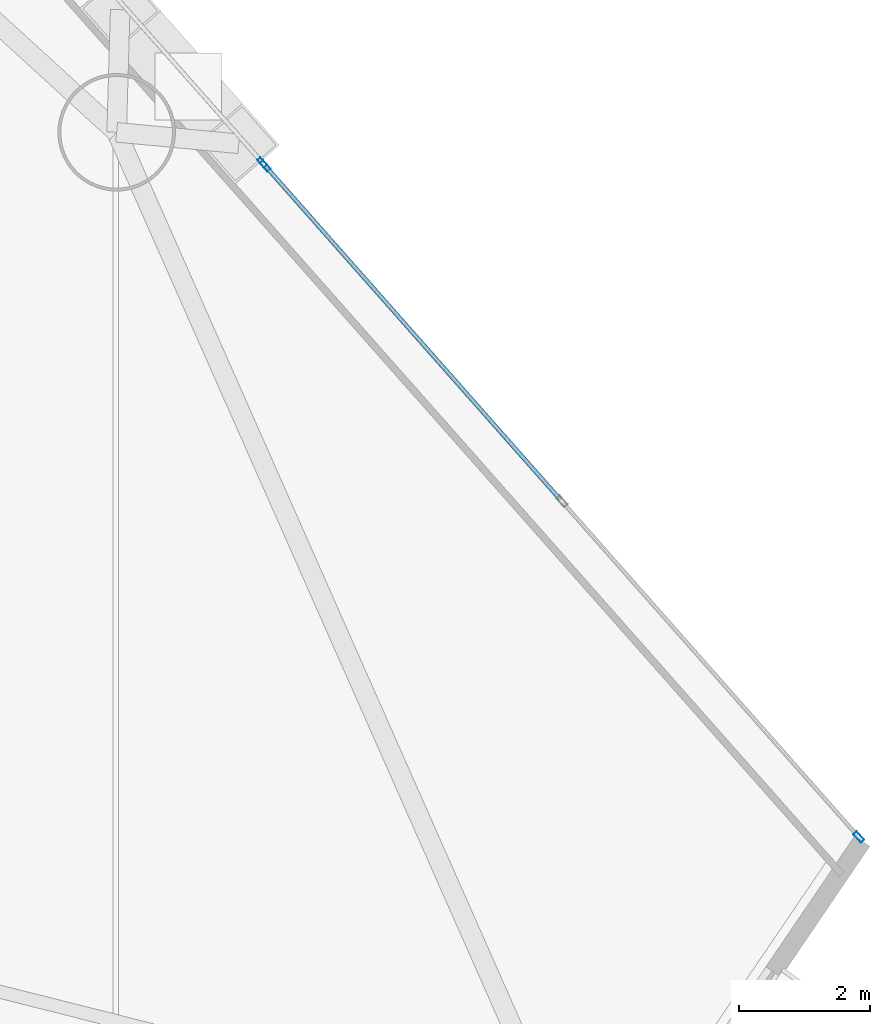
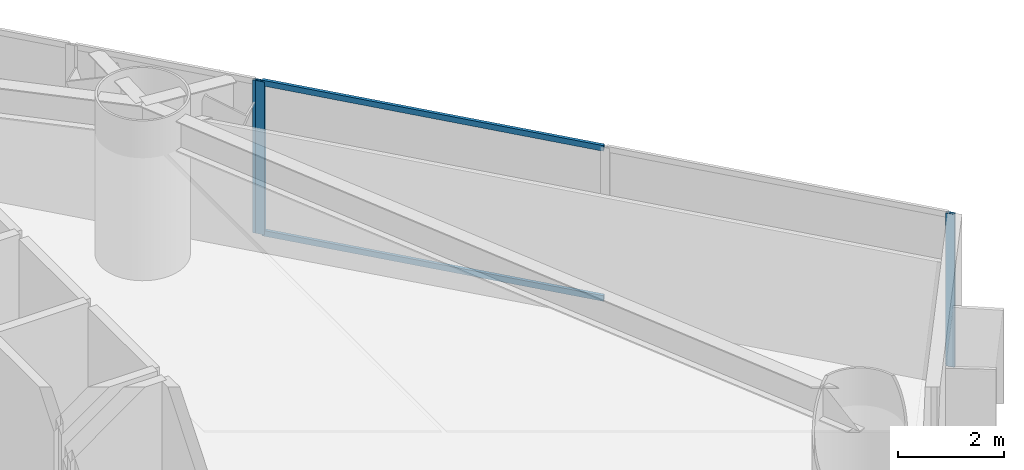
# One storey, part 14 of 22: 5 members, 2 elements without a shape of their own.
"""IFC4 building model written with IfcOpenShell, lengths in metres."""

import ifcopenshell
import ifcopenshell.guid

model = None  # the IFC model being written
_history = None  # IfcOwnerHistory: only IFC2X3 demands one
_inside = {}  # id of a spatial element -> (the spatial element, [elements in it])
_under = {}  # id of a project, library or spatial element -> (it, [spatial elements below it])
_declared = {}  # id of a project -> (the project, [libraries it declares])
_typed = {}  # id of a type object -> (the type object, [elements of that type])
_made_of = {}  # id of a material, layer set ... -> (it, [elements and type objects made of it])


def new_model(schema):
    """Start an empty IFC model of exactly this schema.

    Asked for "IFC4X3", IfcOpenShell would pick the latest addendum, in which some entities
    have other attributes; the version numbers below select the first issue.
    IFC2X3 requires an IfcOwnerHistory on every rooted entity: one is made here for all.
    """
    global model, _history
    if schema == "IFC4X3":
        model = ifcopenshell.file(schema_version=(4, 3, 0, 0))
    else:
        model = ifcopenshell.file(schema=schema)
    _inside.clear()
    _under.clear()
    _declared.clear()
    _typed.clear()
    _made_of.clear()
    _history = None
    if model.schema == "IFC2X3":
        org = make("IfcOrganization", Name="unknown")
        user = make(
            "IfcPersonAndOrganization",
            ThePerson=make("IfcPerson", FamilyName="unknown"),
            TheOrganization=org,
        )
        app = make(
            "IfcApplication",
            ApplicationDeveloper=org,
            Version="unknown",
            ApplicationFullName="unknown",
            ApplicationIdentifier="unknown",
        )
        _history = make(
            "IfcOwnerHistory",
            OwningUser=user,
            OwningApplication=app,
            ChangeAction="ADDED",
            CreationDate=0,
        )
    return model


def make(cls, **values):
    """One entity of the class cls with the attributes given. An attribute that is None is left unset."""
    return model.create_entity(
        cls, **{name: value for name, value in values.items() if value is not None}
    )


def rooted(cls, **values):
    """An entity with a GlobalId (a new one), such as an element, a storey or a relation."""
    return make(cls, GlobalId=ifcopenshell.guid.new(), OwnerHistory=_history, **values)


def si_unit(unit_type, name, prefix=None):
    """IfcSIUnit, for example si_unit("LENGTHUNIT", "METRE", prefix="MILLI")."""
    return make("IfcSIUnit", UnitType=unit_type, Prefix=prefix, Name=name)


def assignment(units):
    """IfcUnitAssignment: the units of a project."""
    return None if units is None else make("IfcUnitAssignment", Units=units)


def point(xyz):
    """IfcCartesianPoint."""
    return None if xyz is None else make("IfcCartesianPoint", Coordinates=xyz)


def direction(xyz):
    """IfcDirection."""
    return None if xyz is None else make("IfcDirection", DirectionRatios=xyz)


def frame(location, z_axis=None, x_axis=None):
    """IfcAxis2Placement3D, a coordinate frame: its origin and axes. An axis left out is left unset."""
    return make(
        "IfcAxis2Placement3D",
        Location=point(location),
        Axis=direction(z_axis),
        RefDirection=direction(x_axis),
    )


def frame_2d(location, x_axis=None):
    """IfcAxis2Placement2D, a coordinate frame in the plane: its origin and x axis."""
    return make(
        "IfcAxis2Placement2D", Location=point(location), RefDirection=direction(x_axis)
    )


def origin():
    """The frame at (0, 0, 0) with its axes left unset."""
    return frame((0.0, 0.0, 0.0))


def origin_2d():
    """The frame at (0, 0) in the plane with its x axis left unset."""
    return frame_2d((0.0, 0.0))


def place(relative_to, where):
    """IfcLocalPlacement: puts the frame where relative to a parent placement (None: the world)."""
    return make(
        "IfcLocalPlacement", PlacementRelTo=relative_to, RelativePlacement=where
    )


def context(
    kind, dimensions, precision=None, world=None, true_north=None, identifier=None
):
    """IfcGeometricRepresentationContext, for example the 3D "Model" context."""
    return make(
        "IfcGeometricRepresentationContext",
        ContextIdentifier=identifier,
        ContextType=kind,
        CoordinateSpaceDimension=dimensions,
        Precision=precision,
        WorldCoordinateSystem=world,
        TrueNorth=true_north,
    )


def subcontext(parent, identifier, kind, view, scale=None):
    """IfcGeometricRepresentationSubContext, for example "Body" below "Model"."""
    return make(
        "IfcGeometricRepresentationSubContext",
        ContextIdentifier=identifier,
        ContextType=kind,
        ParentContext=parent,
        TargetScale=scale,
        TargetView=view,
    )


def project(units=None, contexts=None):
    """IfcProject with its units and contexts."""
    return rooted(
        "IfcProject",
        Name="project",
        RepresentationContexts=contexts,
        UnitsInContext=assignment(units),
    )


def spatial(cls, under=None, at=None, **own):
    """A site, building, storey or space (cls), placed at a placement, below another one or the project."""
    s = rooted(cls, ObjectPlacement=at, **own)
    if under is not None:
        _under.setdefault(under.id(), (under, []))[1].append(s)
    return s


def profile(cls, at=None, kind="AREA", **sizes):
    """A parametric profile (cls). Its sizes go by their IFC names, for example OverallWidth=200.0."""
    return make(cls, ProfileType=kind, Position=at, **sizes)


def hollow_rectangle(**sizes):
    """IfcRectangleHollowProfileDef."""
    return profile("IfcRectangleHollowProfileDef", **sizes)


def extrude(swept, where, along, depth):
    """IfcExtrudedAreaSolid: the profile swept, set in the frame where, extruded along a direction by depth."""
    return make(
        "IfcExtrudedAreaSolid",
        SweptArea=swept,
        Position=where,
        ExtrudedDirection=direction(along),
        Depth=depth,
    )


def shape(context_of_items, identifier, shape_type, items):
    """IfcShapeRepresentation: the items that make up one representation, for example the "Body"."""
    return make(
        "IfcShapeRepresentation",
        ContextOfItems=context_of_items,
        RepresentationIdentifier=identifier,
        RepresentationType=shape_type,
        Items=items,
    )


def material(Name=None, Category=None):
    """IfcMaterial."""
    return make("IfcMaterial", Name=Name, Category=Category)


def layer(
    of_material, thickness, ventilated=None, Name=None, Category=None, Priority=None
):
    """IfcMaterialLayer: one layer of a wall or slab, of a material (None: an air gap)."""
    return make(
        "IfcMaterialLayer",
        Material=of_material,
        LayerThickness=thickness,
        IsVentilated=ventilated,
        Name=Name,
        Category=Category,
        Priority=Priority,
    )


def layer_set(layers, Name=None):
    """IfcMaterialLayerSet."""
    return make("IfcMaterialLayerSet", MaterialLayers=layers, LayerSetName=Name)


def material_profile(
    of_material, cross_section, Name=None, Category=None, Priority=None
):
    """IfcMaterialProfile: a cross section and its material."""
    return make(
        "IfcMaterialProfile",
        Name=Name,
        Material=of_material,
        Profile=cross_section,
        Priority=Priority,
        Category=Category,
    )


def profile_set(profiles, Name=None, composite=None):
    """IfcMaterialProfileSet."""
    return make(
        "IfcMaterialProfileSet",
        Name=Name,
        MaterialProfiles=profiles,
        CompositeProfile=composite,
    )


def made_of(thing, what):
    """Note that an element or type object is made of a material, layer set ...; save() writes the relation."""
    if what is not None:
        _made_of.setdefault(what.id(), (what, []))[1].append(thing)
    return thing


def type_object(cls, material=None, **own):
    """A type object (cls), such as IfcWallType, which elements share."""
    return made_of(rooted(cls, **own), material)


def element(
    cls,
    number,
    at=None,
    inside=None,
    cuts=None,
    type_object=None,
    material=None,
    context=None,
    identifier="Body",
    shape_type=None,
    held_by="IfcProductDefinitionShape",
    body=None,
    shapes=None,
    **own,
):
    """One element of the class cls, such as IfcWall. Its Tag is "e" and its number.

    at: its placement. inside: the storey or other place that contains it. cuts: it is an
    opening in that element (IfcRelVoidsElement). A single representation is given by context,
    identifier, shape_type and body (its items); several are given by shapes. held_by: the class
    of the entity that holds the representations. save() writes the other relations.
    """
    e = rooted(cls, Tag="e%d" % number, ObjectPlacement=at, **own)
    if body is not None:
        shapes = [shape(context, identifier, shape_type, body)]
    if shapes is not None:
        e.Representation = make(held_by, Representations=shapes)
    if inside is not None:
        _inside.setdefault(inside.id(), (inside, []))[1].append(e)
    if cuts is not None:
        rooted(
            "IfcRelVoidsElement", RelatingBuildingElement=cuts, RelatedOpeningElement=e
        )
    if type_object is not None:
        _typed.setdefault(type_object.id(), (type_object, []))[1].append(e)
    return made_of(e, material)


def aggregate(whole, parts):
    """IfcRelAggregates: a whole, such as a stair, and the parts it consists of."""
    return rooted("IfcRelAggregates", RelatingObject=whole, RelatedObjects=parts)


def save(model, path):
    """Write the relations noted so far, then the file.

    IfcRelAggregates (storeys below a building ...), IfcRelContainedInSpatialStructure (elements
    in a storey), IfcRelDefinesByType, IfcRelAssociatesMaterial and IfcRelDeclares: one each for
    every whole, place, type object, material and project.
    """
    for whole, parts in _under.values():
        aggregate(whole, parts)
    for where, things in _inside.values():
        rooted(
            "IfcRelContainedInSpatialStructure",
            RelatedElements=things,
            RelatingStructure=where,
        )
    for kind, things in _typed.values():
        rooted("IfcRelDefinesByType", RelatedObjects=things, RelatingType=kind)
    for what, things in _made_of.values():
        rooted("IfcRelAssociatesMaterial", RelatedObjects=things, RelatingMaterial=what)
    for by, libraries in _declared.values():
        rooted("IfcRelDeclares", RelatingContext=by, RelatedDefinitions=libraries)
    model.write(path)


model = new_model("IFC4")

# Units and contexts
model_context = context("Model", 3, precision=1e-05, world=origin(), true_north=direction((0.0, 1.0)))
body_context = subcontext(model_context, "Body", "Model", "MODEL_VIEW")
ifc_project = project(units=[si_unit("LENGTHUNIT", "METRE"), si_unit("AREAUNIT", "SQUARE_METRE"), si_unit("VOLUMEUNIT", "CUBIC_METRE"), si_unit("PLANEANGLEUNIT", "RADIAN"), si_unit("MASSUNIT", "GRAM", prefix="KILO")], contexts=[model_context])

# Site, building, storey
site_placement = place(None, origin())
site = spatial("IfcSite", under=ifc_project, at=site_placement, CompositionType="ELEMENT")
building_placement = place(site_placement, origin())
building = spatial("IfcBuilding", under=site, at=building_placement, Name="Qianvela Tower", CompositionType="ELEMENT")
storey_placement = place(building_placement, frame((0.0, 0.0, 40.5)))
storey = spatial("IfcBuildingStorey", under=building, at=storey_placement, Name="L09", CompositionType="ELEMENT", Elevation=40.5)

# Curtain wall, member
ifc_material_1 = material(Name="Anodised Architectural Aluminium and Insulated Spandrel Panel", Category="aluminium")
ifc_layer_1 = layer(ifc_material_1, 0.179931640625)
ifc_layer_set_1 = layer_set([ifc_layer_1], Name="Anodised Architectural Aluminium and Insulated Spandrel Panel")
curtain_wall_type_1 = type_object("IfcCurtainWallType", Name="CW-BRACEBAY", PredefinedType="USERDEFINED", material=ifc_layer_set_1)
curtain_wall_1_placement = place(storey_placement, origin())
curtain_wall_1 = element("IfcCurtainWall", 1, at=curtain_wall_1_placement, inside=storey, type_object=curtain_wall_type_1, Name="L09 CW-BRACEBAY Curtain Wall 02B", ObjectType="CURTAIN_WALL_SYSTEM", PredefinedType="USERDEFINED")
ifc_material_2 = material(Name="Anodised Architectural Aluminium 6063-T6", Category="aluminium")
ifc_material_profile_1 = material_profile(ifc_material_2, hollow_rectangle(XDim=0.06494140625, YDim=0.159912109375, WallThickness=0.0048828125, at=origin_2d()), Name="ALU-MULL-65x160")
ifc_profile_set_1 = profile_set([ifc_material_profile_1], Name="Anodised Architectural Aluminium 6063-T6")
member_type_1 = type_object("IfcMemberType", Name="CW-BRACEBAY-MULL", PredefinedType="MULLION", material=ifc_profile_set_1)
member_1_placement = place(storey_placement, frame((49.9658203125, 32.17529296875, 0.0), z_axis=(0.0, 0.0, 1.0), x_axis=(-0.749094821049, -0.662462790711, 0.0)))
member_1 = element("IfcMember", 2, at=member_1_placement, type_object=member_type_1, Name="CW-9 mullion 1", PredefinedType="MULLION", context=body_context, shape_type="SweptSolid", body=[
    extrude(hollow_rectangle(XDim=0.06494140625, YDim=0.159912109375, WallThickness=0.0048828125, at=origin_2d()), origin(), (0.0, 0.0, 1.0), 3.52001953125),
])
aggregate(curtain_wall_1, [member_1])

# Curtain wall, members
ifc_material_3 = material(Name="Anodised Architectural Aluminium and Low-E Glass", Category="aluminium")
ifc_layer_2 = layer(ifc_material_3, 0.179931640625)
ifc_layer_set_2 = layer_set([ifc_layer_2], Name="Anodised Architectural Aluminium and Low-E Glass")
curtain_wall_type_2 = type_object("IfcCurtainWallType", Name="CW-COLIV-Z12", PredefinedType="USERDEFINED", material=ifc_layer_set_2)
curtain_wall_2_placement = place(storey_placement, origin())
curtain_wall_2 = element("IfcCurtainWall", 3, at=curtain_wall_2_placement, inside=storey, type_object=curtain_wall_type_2, Name="L09 CW-COLIV-Z12 Curtain Wall 02A", ObjectType="CURTAIN_WALL_SYSTEM", PredefinedType="USERDEFINED")
ifc_material_4 = material(Name="Anodised Architectural Aluminium 6063-T6", Category="aluminium")
ifc_material_profile_2 = material_profile(ifc_material_4, hollow_rectangle(XDim=0.070068359375, YDim=0.179931640625, WallThickness=0.0048828125, at=origin_2d()), Name="ALU-MULL-70x180")
ifc_profile_set_2 = profile_set([ifc_material_profile_2], Name="Anodised Architectural Aluminium 6063-T6")
member_type_2 = type_object("IfcMemberType", Name="CW-COLIV-Z12-MULL", PredefinedType="MULLION", material=ifc_profile_set_2)
member_2_placement = place(storey_placement, frame((59.099365234375, 21.846923828125, 0.0), z_axis=(0.0, 0.0, 1.0), x_axis=(-0.749106451782, -0.662449638765, 0.0)))
member_2 = element("IfcMember", 4, at=member_2_placement, type_object=member_type_2, Name="CW-3 mullion 1", PredefinedType="MULLION", context=body_context, shape_type="SweptSolid", body=[
    extrude(hollow_rectangle(XDim=0.070068359375, YDim=0.179931640625, WallThickness=0.0048828125, at=origin_2d()), origin(), (0.0, 0.0, 1.0), 3.52001953125),
])
member_3_placement = place(storey_placement, frame((50.010498046875, 32.124755859375, 0.0), z_axis=(0.0, 0.0, 1.0), x_axis=(-0.749106451782, -0.662449638765, 0.0)))
member_3 = element("IfcMember", 5, at=member_3_placement, type_object=member_type_2, Name="CW-3 mullion 3", PredefinedType="MULLION", context=body_context, shape_type="SweptSolid", body=[
    extrude(hollow_rectangle(XDim=0.070068359375, YDim=0.179931640625, WallThickness=0.0048828125, at=origin_2d()), origin(), (0.0, 0.0, 1.0), 3.52001953125),
])
ifc_material_5 = material(Name="Anodised Architectural Aluminium 6063-T6", Category="aluminium")
ifc_material_profile_3 = material_profile(ifc_material_5, hollow_rectangle(XDim=0.06494140625, YDim=0.1298828125, WallThickness=0.00439453125, at=origin_2d()), Name="ALU-TRAN-65x130")
ifc_profile_set_3 = profile_set([ifc_material_profile_3], Name="Anodised Architectural Aluminium 6063-T6")
member_type_3 = type_object("IfcMemberType", Name="CW-COLIV-Z12-TRAN", PredefinedType="USERDEFINED", material=ifc_profile_set_3)
member_4_placement = place(storey_placement, frame((54.53173828125, 27.01220703125, 0.032470703125), z_axis=(-0.66245129508, 0.749104987066, 0.0), x_axis=(-0.749104987066, -0.66245129508, 0.0)))
member_4 = element("IfcMember", 6, at=member_4_placement, type_object=member_type_3, Name="CW-3 transom 2.1", ObjectType="TRANSOM", PredefinedType="USERDEFINED", context=body_context, shape_type="SweptSolid", body=[
    extrude(hollow_rectangle(XDim=0.06494140625, YDim=0.1298828125, WallThickness=0.00439453125, at=origin_2d()), origin(), (0.0, 0.0, 1.0), 6.7900390625),
])
member_5_placement = place(storey_placement, frame((54.53173828125, 27.01220703125, 3.487548828125), z_axis=(-0.66245129508, 0.749104987066, 0.0), x_axis=(-0.749104987066, -0.66245129508, 0.0)))
member_5 = element("IfcMember", 7, at=member_5_placement, type_object=member_type_3, Name="CW-3 transom 2.2", ObjectType="TRANSOM", PredefinedType="USERDEFINED", context=body_context, shape_type="SweptSolid", body=[
    extrude(hollow_rectangle(XDim=0.06494140625, YDim=0.1298828125, WallThickness=0.00439453125, at=origin_2d()), origin(), (0.0, 0.0, 1.0), 6.7900390625),
])
aggregate(curtain_wall_2, [member_2, member_3, member_4, member_5])

save(model, "model.ifc")
